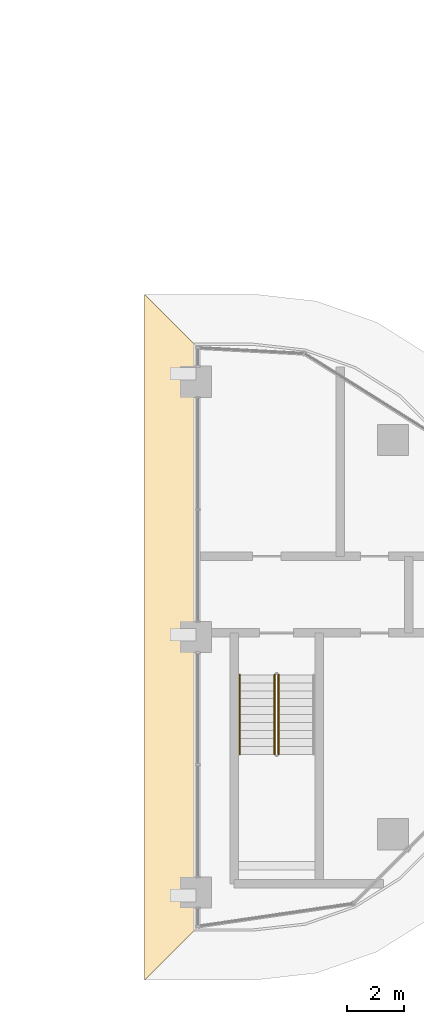
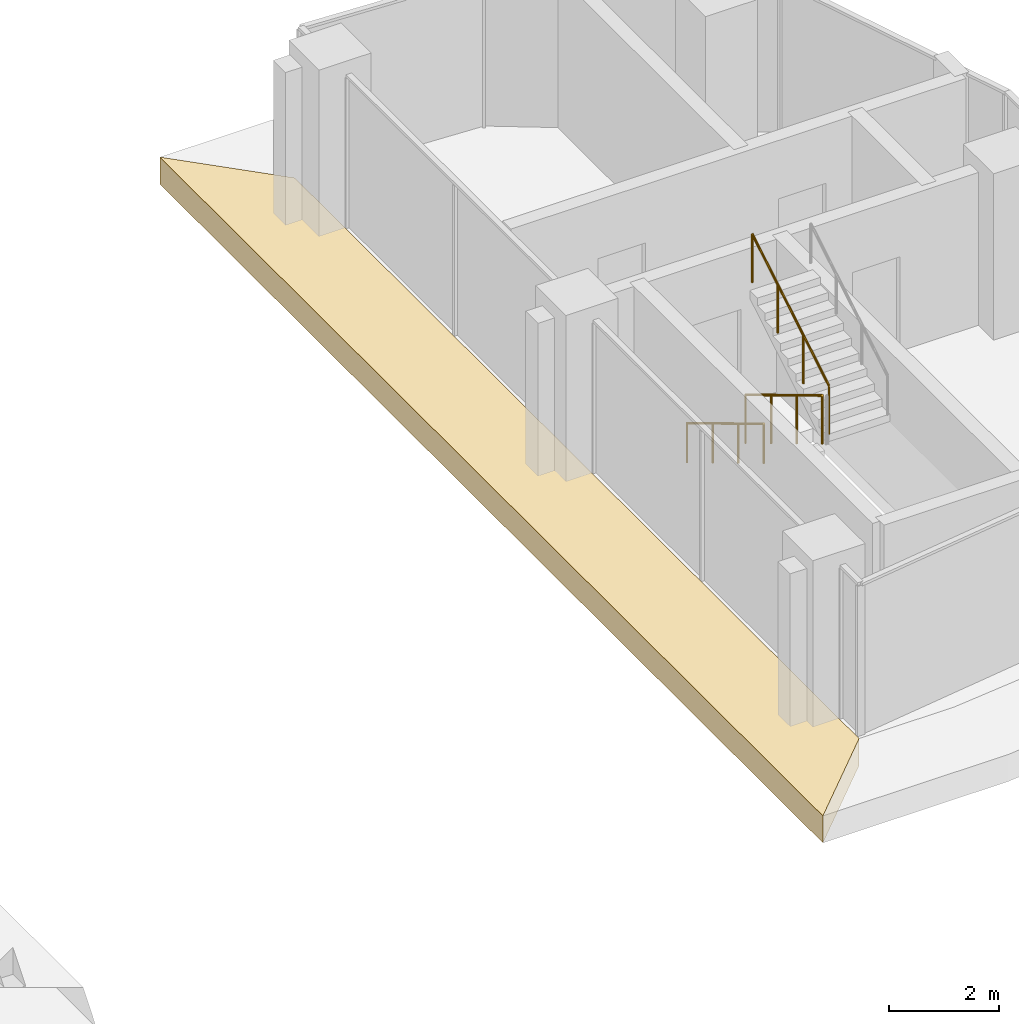
# One storey, part 23 of 27: 3 railings, 1 covering.
"""IFC4 building model written with IfcOpenShell, lengths in metres."""

import ifcopenshell
import ifcopenshell.guid

model = None  # the IFC model being written
_history = None  # IfcOwnerHistory: only IFC2X3 demands one
_inside = {}  # id of a spatial element -> (the spatial element, [elements in it])
_under = {}  # id of a project, library or spatial element -> (it, [spatial elements below it])
_declared = {}  # id of a project -> (the project, [libraries it declares])
_typed = {}  # id of a type object -> (the type object, [elements of that type])
_made_of = {}  # id of a material, layer set ... -> (it, [elements and type objects made of it])


def new_model(schema):
    """Start an empty IFC model of exactly this schema.

    Asked for "IFC4X3", IfcOpenShell would pick the latest addendum, in which some entities
    have other attributes; the version numbers below select the first issue.
    IFC2X3 requires an IfcOwnerHistory on every rooted entity: one is made here for all.
    """
    global model, _history
    if schema == "IFC4X3":
        model = ifcopenshell.file(schema_version=(4, 3, 0, 0))
    else:
        model = ifcopenshell.file(schema=schema)
    _inside.clear()
    _under.clear()
    _declared.clear()
    _typed.clear()
    _made_of.clear()
    _history = None
    if model.schema == "IFC2X3":
        org = make("IfcOrganization", Name="unknown")
        user = make(
            "IfcPersonAndOrganization",
            ThePerson=make("IfcPerson", FamilyName="unknown"),
            TheOrganization=org,
        )
        app = make(
            "IfcApplication",
            ApplicationDeveloper=org,
            Version="unknown",
            ApplicationFullName="unknown",
            ApplicationIdentifier="unknown",
        )
        _history = make(
            "IfcOwnerHistory",
            OwningUser=user,
            OwningApplication=app,
            ChangeAction="ADDED",
            CreationDate=0,
        )
    return model


def make(cls, **values):
    """One entity of the class cls with the attributes given. An attribute that is None is left unset."""
    return model.create_entity(
        cls, **{name: value for name, value in values.items() if value is not None}
    )


def rooted(cls, **values):
    """An entity with a GlobalId (a new one), such as an element, a storey or a relation."""
    return make(cls, GlobalId=ifcopenshell.guid.new(), OwnerHistory=_history, **values)


def si_unit(unit_type, name, prefix=None):
    """IfcSIUnit, for example si_unit("LENGTHUNIT", "METRE", prefix="MILLI")."""
    return make("IfcSIUnit", UnitType=unit_type, Prefix=prefix, Name=name)


def assignment(units):
    """IfcUnitAssignment: the units of a project."""
    return None if units is None else make("IfcUnitAssignment", Units=units)


def point(xyz):
    """IfcCartesianPoint."""
    return None if xyz is None else make("IfcCartesianPoint", Coordinates=xyz)


def direction(xyz):
    """IfcDirection."""
    return None if xyz is None else make("IfcDirection", DirectionRatios=xyz)


def frame(location, z_axis=None, x_axis=None):
    """IfcAxis2Placement3D, a coordinate frame: its origin and axes. An axis left out is left unset."""
    return make(
        "IfcAxis2Placement3D",
        Location=point(location),
        Axis=direction(z_axis),
        RefDirection=direction(x_axis),
    )


def frame_2d(location, x_axis=None):
    """IfcAxis2Placement2D, a coordinate frame in the plane: its origin and x axis."""
    return make(
        "IfcAxis2Placement2D", Location=point(location), RefDirection=direction(x_axis)
    )


def origin():
    """The frame at (0, 0, 0) with its axes left unset."""
    return frame((0.0, 0.0, 0.0))


def origin_2d():
    """The frame at (0, 0) in the plane with its x axis left unset."""
    return frame_2d((0.0, 0.0))


def place(relative_to, where):
    """IfcLocalPlacement: puts the frame where relative to a parent placement (None: the world)."""
    return make(
        "IfcLocalPlacement", PlacementRelTo=relative_to, RelativePlacement=where
    )


def context(
    kind, dimensions, precision=None, world=None, true_north=None, identifier=None
):
    """IfcGeometricRepresentationContext, for example the 3D "Model" context."""
    return make(
        "IfcGeometricRepresentationContext",
        ContextIdentifier=identifier,
        ContextType=kind,
        CoordinateSpaceDimension=dimensions,
        Precision=precision,
        WorldCoordinateSystem=world,
        TrueNorth=true_north,
    )


def subcontext(parent, identifier, kind, view, scale=None):
    """IfcGeometricRepresentationSubContext, for example "Body" below "Model"."""
    return make(
        "IfcGeometricRepresentationSubContext",
        ContextIdentifier=identifier,
        ContextType=kind,
        ParentContext=parent,
        TargetScale=scale,
        TargetView=view,
    )


def project(units=None, contexts=None):
    """IfcProject with its units and contexts."""
    return rooted(
        "IfcProject",
        Name="project",
        RepresentationContexts=contexts,
        UnitsInContext=assignment(units),
    )


def spatial(cls, under=None, at=None, **own):
    """A site, building, storey or space (cls), placed at a placement, below another one or the project."""
    s = rooted(cls, ObjectPlacement=at, **own)
    if under is not None:
        _under.setdefault(under.id(), (under, []))[1].append(s)
    return s


def polyline(points):
    """IfcPolyline through the points."""
    return make("IfcPolyline", Points=[point(p) for p in points])


def profile(cls, at=None, kind="AREA", **sizes):
    """A parametric profile (cls). Its sizes go by their IFC names, for example OverallWidth=200.0."""
    return make(cls, ProfileType=kind, Position=at, **sizes)


def circle(**sizes):
    """IfcCircleProfileDef."""
    return profile("IfcCircleProfileDef", **sizes)


def outline(outer, holes=None, kind="AREA"):
    """IfcArbitraryClosedProfileDef: a profile drawn as a closed curve; with holes, ...WithVoids."""
    if holes is None:
        return make("IfcArbitraryClosedProfileDef", ProfileType=kind, OuterCurve=outer)
    return make(
        "IfcArbitraryProfileDefWithVoids",
        ProfileType=kind,
        OuterCurve=outer,
        InnerCurves=holes,
    )


def extrude(swept, where, along, depth):
    """IfcExtrudedAreaSolid: the profile swept, set in the frame where, extruded along a direction by depth."""
    return make(
        "IfcExtrudedAreaSolid",
        SweptArea=swept,
        Position=where,
        ExtrudedDirection=direction(along),
        Depth=depth,
    )


def shape(context_of_items, identifier, shape_type, items):
    """IfcShapeRepresentation: the items that make up one representation, for example the "Body"."""
    return make(
        "IfcShapeRepresentation",
        ContextOfItems=context_of_items,
        RepresentationIdentifier=identifier,
        RepresentationType=shape_type,
        Items=items,
    )


def material(Name=None, Category=None):
    """IfcMaterial."""
    return make("IfcMaterial", Name=Name, Category=Category)


def layer(
    of_material, thickness, ventilated=None, Name=None, Category=None, Priority=None
):
    """IfcMaterialLayer: one layer of a wall or slab, of a material (None: an air gap)."""
    return make(
        "IfcMaterialLayer",
        Material=of_material,
        LayerThickness=thickness,
        IsVentilated=ventilated,
        Name=Name,
        Category=Category,
        Priority=Priority,
    )


def layer_set(layers, Name=None):
    """IfcMaterialLayerSet."""
    return make("IfcMaterialLayerSet", MaterialLayers=layers, LayerSetName=Name)


def made_of(thing, what):
    """Note that an element or type object is made of a material, layer set ...; save() writes the relation."""
    if what is not None:
        _made_of.setdefault(what.id(), (what, []))[1].append(thing)
    return thing


def type_object(cls, material=None, **own):
    """A type object (cls), such as IfcWallType, which elements share."""
    return made_of(rooted(cls, **own), material)


def element(
    cls,
    number,
    at=None,
    inside=None,
    cuts=None,
    type_object=None,
    material=None,
    context=None,
    identifier="Body",
    shape_type=None,
    held_by="IfcProductDefinitionShape",
    body=None,
    shapes=None,
    **own,
):
    """One element of the class cls, such as IfcWall. Its Tag is "e" and its number.

    at: its placement. inside: the storey or other place that contains it. cuts: it is an
    opening in that element (IfcRelVoidsElement). A single representation is given by context,
    identifier, shape_type and body (its items); several are given by shapes. held_by: the class
    of the entity that holds the representations. save() writes the other relations.
    """
    e = rooted(cls, Tag="e%d" % number, ObjectPlacement=at, **own)
    if body is not None:
        shapes = [shape(context, identifier, shape_type, body)]
    if shapes is not None:
        e.Representation = make(held_by, Representations=shapes)
    if inside is not None:
        _inside.setdefault(inside.id(), (inside, []))[1].append(e)
    if cuts is not None:
        rooted(
            "IfcRelVoidsElement", RelatingBuildingElement=cuts, RelatedOpeningElement=e
        )
    if type_object is not None:
        _typed.setdefault(type_object.id(), (type_object, []))[1].append(e)
    return made_of(e, material)


def aggregate(whole, parts):
    """IfcRelAggregates: a whole, such as a stair, and the parts it consists of."""
    return rooted("IfcRelAggregates", RelatingObject=whole, RelatedObjects=parts)


def save(model, path):
    """Write the relations noted so far, then the file.

    IfcRelAggregates (storeys below a building ...), IfcRelContainedInSpatialStructure (elements
    in a storey), IfcRelDefinesByType, IfcRelAssociatesMaterial and IfcRelDeclares: one each for
    every whole, place, type object, material and project.
    """
    for whole, parts in _under.values():
        aggregate(whole, parts)
    for where, things in _inside.values():
        rooted(
            "IfcRelContainedInSpatialStructure",
            RelatedElements=things,
            RelatingStructure=where,
        )
    for kind, things in _typed.values():
        rooted("IfcRelDefinesByType", RelatedObjects=things, RelatingType=kind)
    for what, things in _made_of.values():
        rooted("IfcRelAssociatesMaterial", RelatedObjects=things, RelatingMaterial=what)
    for by, libraries in _declared.values():
        rooted("IfcRelDeclares", RelatingContext=by, RelatedDefinitions=libraries)
    model.write(path)


model = new_model("IFC4")

# Units and contexts
model_context = context("Model", 3, precision=1e-05, world=origin(), true_north=direction((0.0, 1.0)))
body_context = subcontext(model_context, "Body", "Model", "MODEL_VIEW")
ifc_project = project(units=[si_unit("LENGTHUNIT", "METRE"), si_unit("AREAUNIT", "SQUARE_METRE"), si_unit("VOLUMEUNIT", "CUBIC_METRE"), si_unit("PLANEANGLEUNIT", "RADIAN"), si_unit("MASSUNIT", "GRAM", prefix="KILO")], contexts=[model_context])

# Site, building, storey
site_placement = place(None, origin())
site = spatial("IfcSite", under=ifc_project, at=site_placement, CompositionType="ELEMENT")
building_placement = place(site_placement, origin())
building = spatial("IfcBuilding", under=site, at=building_placement, Name="Ogive Portal Towers", CompositionType="ELEMENT")
storey_placement = place(building_placement, frame((0.0, 0.0, 160.699951171875)))
storey = spatial("IfcBuildingStorey", under=building, at=storey_placement, Name="L39", CompositionType="ELEMENT", Elevation=160.699951171875)

# Railings
ifc_material_1 = material(Name="Stainless steel balustrade", Category="steel")
railing_type_1 = type_object("IfcRailingType", Name="INT-GUARD", PredefinedType="GUARDRAIL", material=ifc_material_1)
railing_1_placement = place(storey_placement, frame((88.280029296875, 29.169921875, 0.168212890625)))
element("IfcRailing", 1, at=railing_1_placement, inside=storey, type_object=railing_type_1, Name="L39 ST-A4 stair guard 1", PredefinedType="GUARDRAIL", context=body_context, shape_type="SweptSolid", body=[
    extrude(circle(Radius=0.02392578125, at=origin_2d()), frame((0.0, 0.0, 1.076171875), z_axis=(0.0, -0.857222391501, 0.514946377315), x_axis=(1.0, 0.0, 0.0)), (0.0, 0.0, 1.0), 3.26611328125),
    extrude(circle(Radius=0.02099609375, at=origin_2d()), origin(), (0.0, 0.0, 1.0), 1.052001953125),
    extrude(circle(Radius=0.02099609375, at=origin_2d()), frame((0.0, -0.933349609375, 0.560546875)), (0.0, 0.0, 1.0), 1.052001953125),
    extrude(circle(Radius=0.02099609375, at=origin_2d()), frame((0.0, -1.866455078125, 1.121337890625)), (0.0, 0.0, 1.0), 1.052001953125),
    extrude(circle(Radius=0.02099609375, at=origin_2d()), frame((0.0, -2.7998046875, 1.681884765625)), (0.0, 0.0, 1.0), 1.052001953125),
])
railing_2_placement = place(storey_placement, frame((88.419921875, 26.3701171875, 2.018310546875)))
element("IfcRailing", 2, at=railing_2_placement, inside=storey, type_object=railing_type_1, Name="L39 ST-A4 stair guard 3", PredefinedType="GUARDRAIL", context=body_context, shape_type="SweptSolid", body=[
    extrude(circle(Radius=0.02392578125, at=origin_2d()), frame((0.0, 0.0, 1.076171875), z_axis=(0.0, 0.857255387014, 0.514891446264), x_axis=(-1.0, 0.0, 0.0)), (0.0, 0.0, 1.0), 3.26611328125),
    extrude(circle(Radius=0.02099609375, at=origin_2d()), origin(), (0.0, 0.0, 1.0), 1.052001953125),
    extrude(circle(Radius=0.02099609375, at=origin_2d()), frame((0.0, 0.933349609375, 0.560546875)), (0.0, 0.0, 1.0), 1.052001953125),
    extrude(circle(Radius=0.02099609375, at=origin_2d()), frame((0.0, 1.866455078125, 1.12109375)), (0.0, 0.0, 1.0), 1.052001953125),
    extrude(circle(Radius=0.02099609375, at=origin_2d()), frame((0.0, 2.7998046875, 1.681640625)), (0.0, 0.0, 1.0), 1.052001953125),
])
ifc_material_2 = material(Name="Stainless steel handrail", Category="steel")
railing_type_2 = type_object("IfcRailingType", Name="INT-HANDRAIL", PredefinedType="HANDRAIL", material=ifc_material_2)
railing_3_placement = place(storey_placement, frame((87.050048828125, 29.169921875, 0.168212890625)))
element("IfcRailing", 3, at=railing_3_placement, inside=storey, type_object=railing_type_2, Name="L39 ST-A4 stair handrail 1", PredefinedType="HANDRAIL", context=body_context, shape_type="SweptSolid", body=[
    extrude(circle(Radius=0.02392578125, at=origin_2d()), frame((0.0, 0.0, 0.8759765625), z_axis=(0.0, -0.857222391501, 0.514946377315), x_axis=(1.0, 0.0, 0.0)), (0.0, 0.0, 1.0), 3.26611328125),
    extrude(circle(Radius=0.02099609375, at=origin_2d()), origin(), (0.0, 0.0, 1.0), 0.851806640625),
    extrude(circle(Radius=0.02099609375, at=origin_2d()), frame((0.0, -0.933349609375, 0.560546875)), (0.0, 0.0, 1.0), 0.851806640625),
    extrude(circle(Radius=0.02099609375, at=origin_2d()), frame((0.0, -1.866455078125, 1.121337890625)), (0.0, 0.0, 1.0), 0.851806640625),
    extrude(circle(Radius=0.02099609375, at=origin_2d()), frame((0.0, -2.7998046875, 1.681884765625)), (0.0, 0.0, 1.0), 0.851806640625),
])

# Covering
ifc_material_3 = material(Name="Limestone cladding on lightweight block wall", Category="masonry")
ifc_layer = layer(ifc_material_3, 0.60009765625)
ifc_layer_set = layer_set([ifc_layer], Name="SUNSHADE LIP 600")
covering_type = type_object("IfcCoveringType", Name="SUNSHADE LIP 600", PredefinedType="CLADDING", material=ifc_layer_set)
covering_placement = place(storey_placement, frame((0.0, 0.0, -0.599853515625)))
element("IfcCovering", 4, at=covering_placement, inside=storey, type_object=covering_type, Name="Sunshade lip A2-F01", PredefinedType="CLADDING", context=body_context, shape_type="SweptSolid", body=[
    extrude(outline(polyline([(85.5, 40.784912109375), (85.5, 20.215087890625), (83.699951171875, 18.4150390625), (83.699951171875, 42.5849609375), (85.5, 40.784912109375)])), origin(), (0.0, 0.0, 1.0), 0.599853515625),
])

save(model, "model.ifc")
